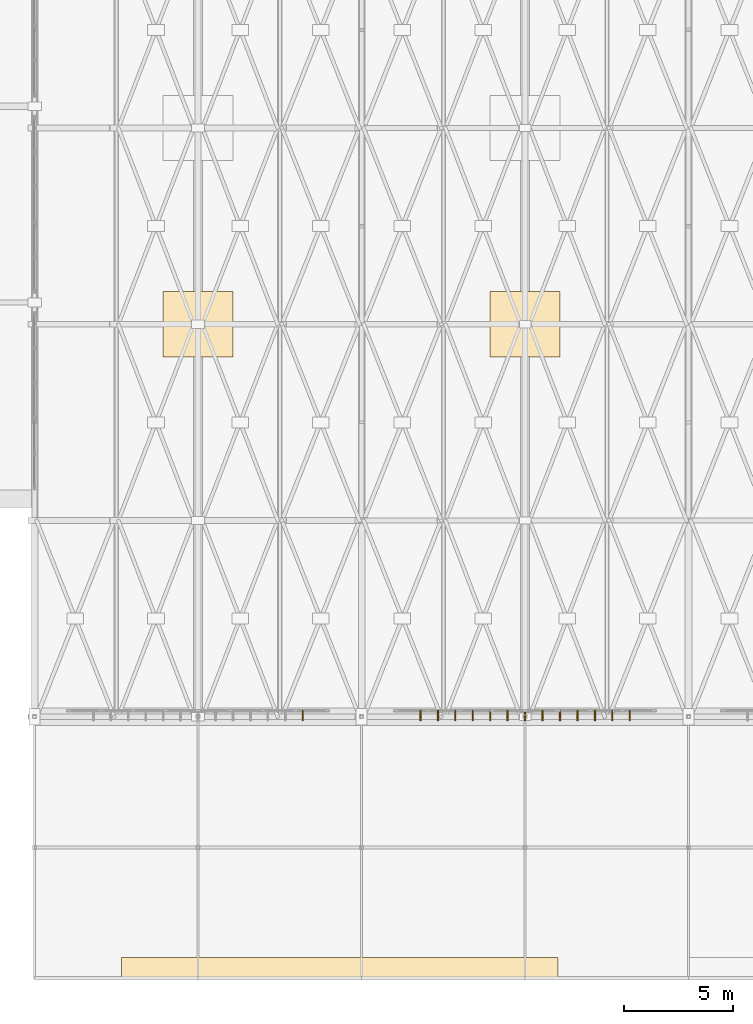
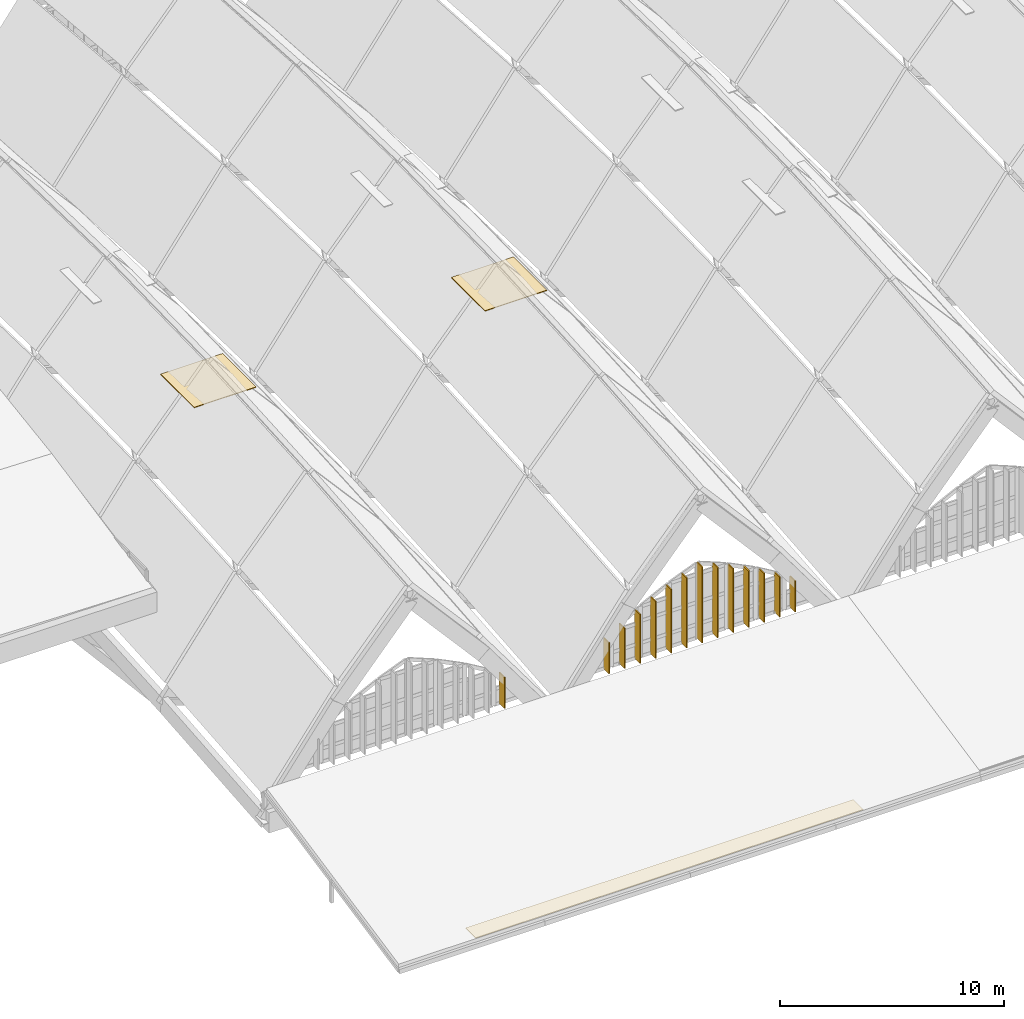
# One storey, part 84 of 93: 14 shading devices, 3 coverings.
"""IFC4 building model written with IfcOpenShell, lengths in metres."""

from ifc_helpers import new_model, si_unit, direction, frame, origin, origin_2d, place, context, subcontext, project, spatial, polyline, rectangle, outline, extrude, material, layer, layer_set, material_profile, profile_set, type_object, element, save


model = new_model("IFC4")

# Units and contexts
model_context = context("Model", 3, precision=1e-05, world=origin(), true_north=direction((0.0, 1.0)))
body_context = subcontext(model_context, "Body", "Model", "MODEL_VIEW")
ifc_project = project(units=[si_unit("LENGTHUNIT", "METRE"), si_unit("AREAUNIT", "SQUARE_METRE"), si_unit("VOLUMEUNIT", "CUBIC_METRE"), si_unit("PLANEANGLEUNIT", "RADIAN"), si_unit("MASSUNIT", "GRAM", prefix="KILO")], contexts=[model_context])

# Site, building, storey
site_placement = place(None, origin())
site = spatial("IfcSite", under=ifc_project, at=site_placement, CompositionType="ELEMENT")
building_placement = place(site_placement, origin())
building = spatial("IfcBuilding", under=site, at=building_placement, Name="Vourika Railside Aquatics Centre", CompositionType="ELEMENT")
storey_placement = place(building_placement, frame((0.0, 0.0, 21.89990234375)))
storey = spatial("IfcBuildingStorey", under=building, at=storey_placement, Name="Roof", CompositionType="ELEMENT", Elevation=21.89990234375)

# Coverings
ifc_material_1 = material(Name="Anodized aluminium", Category="aluminium")
ifc_layer_1 = layer(ifc_material_1, 0.02490234375, Name="COV-ROOF-SEAM25")
ifc_layer_set_1 = layer_set([ifc_layer_1], Name="Anodized aluminium")
covering_type_1 = type_object("IfcCoveringType", Name="COV-ROOF-SEAM25", PredefinedType="ROOFING", material=ifc_layer_set_1)
covering_1_placement = place(storey_placement, frame((0.0, 0.0, -12.369873046875)))
element("IfcCovering", 1, at=covering_1_placement, inside=storey, type_object=covering_type_1, Name="Monsoon Eave Gutter Flashing 1", PredefinedType="ROOFING", context=body_context, shape_type="SweptSolid", body=[
    extrude(outline(polyline([(40.0, 0.050048828125), (60.0, 0.050048828125), (60.0, 0.949951171875), (40.0, 0.949951171875), (40.0, 0.050048828125)])), origin(), (0.0, 0.0, 1.0), 0.02490234375),
])
ifc_material_2 = material(Name="Glulam GL28h", Category="wood")
ifc_layer_2 = layer(ifc_material_2, 0.034912109375, Name="COV-SOFFIT-TIM35")
ifc_layer_set_2 = layer_set([ifc_layer_2], Name="Glulam GL28h")
covering_type_2 = type_object("IfcCoveringType", Name="COV-SOFFIT-TIM35", PredefinedType="CEILING", material=ifc_layer_set_2)
covering_2_placement = place(storey_placement, frame((0.0, 0.0, -1.369384765625)))
element("IfcCovering", 2, at=covering_2_placement, inside=storey, type_object=covering_type_2, Name="Perforated Acoustic Timber Soffit Liner Bay 1-1", PredefinedType="CEILING", context=body_context, shape_type="SweptSolid", body=[
    extrude(outline(polyline([(41.89990234375, 28.5), (45.10009765625, 28.5), (45.10009765625, 31.5), (41.89990234375, 31.5), (41.89990234375, 28.5)])), origin(), (0.0, 0.0, 1.0), 0.037109375),
])
covering_3_placement = place(storey_placement, frame((0.0, 0.0, -1.349365234375)))
element("IfcCovering", 3, at=covering_3_placement, inside=storey, type_object=covering_type_2, Name="Perforated Acoustic Timber Soffit Liner Bay 2-1", PredefinedType="CEILING", context=body_context, shape_type="SweptSolid", body=[
    extrude(outline(polyline([(56.89990234375, 28.5), (60.10009765625, 28.5), (60.10009765625, 31.5), (56.89990234375, 31.5), (56.89990234375, 28.5)])), origin(), (0.0, 0.0, 1.0), 0.037109375),
])

# Shading devices
ifc_material_3 = material(Name="Bronze-anodized extruded aluminium", Category="aluminium")
ifc_material_profile_1 = material_profile(ifc_material_3, rectangle(XDim=0.06005859375, YDim=0.47998046875, at=origin_2d()), Name="ALU-FIN 60x480")
ifc_profile_set_1 = profile_set([ifc_material_profile_1], Name="Bronze-anodized extruded aluminium")
shading_device_type_1 = type_object("IfcShadingDeviceType", Name="SHD-FIN-F48A", PredefinedType="USERDEFINED", material=ifc_profile_set_1)
for number, where, z_axis, x_axis, name in (
    (4, (48.300048828125, 12.06494140625, -9.8798828125), (0.0, 0.0, 1.0), (-1.0, 0.0, 0.0), "Vertical Solar Fin VSF-0026"),
    (5, (53.699951171875, 12.06494140625, -9.8798828125), (0.0, 0.0, 1.0), (-1.0, 0.0, 0.0), "Vertical Solar Fin VSF-0040"),
):
    element("IfcShadingDevice", number, at=place(storey_placement, frame(where, z_axis=z_axis, x_axis=x_axis)), inside=storey, type_object=shading_device_type_1, Name=name, ObjectType="FIN", PredefinedType="USERDEFINED", context=body_context, shape_type="SweptSolid", body=[
        extrude(rectangle(XDim=0.06005859375, YDim=0.47998046875, at=origin_2d()), origin(), (0.0, 0.0, 1.0), 1.68603515625),
    ])
shading_device_1_placement = place(storey_placement, frame((54.5, 12.06494140625, -9.8798828125), z_axis=(0.0, 0.0, 1.0), x_axis=(-1.0, 0.0, 0.0)))
element("IfcShadingDevice", 6, at=shading_device_1_placement, inside=storey, type_object=shading_device_type_1, Name="Vertical Solar Fin VSF-0041", ObjectType="FIN", PredefinedType="USERDEFINED", context=body_context, shape_type="SweptSolid", body=[
    extrude(rectangle(XDim=0.06005859375, YDim=0.47998046875, at=origin_2d()), origin(), (0.0, 0.0, 1.0), 2.196044921875),
])
shading_device_2_placement = place(storey_placement, frame((55.300048828125, 12.06494140625, -9.8798828125), z_axis=(0.0, 0.0, 1.0), x_axis=(-1.0, 0.0, 0.0)))
element("IfcShadingDevice", 7, at=shading_device_2_placement, inside=storey, type_object=shading_device_type_1, Name="Vertical Solar Fin VSF-0042", ObjectType="FIN", PredefinedType="USERDEFINED", context=body_context, shape_type="SweptSolid", body=[
    extrude(rectangle(XDim=0.06005859375, YDim=0.47998046875, at=origin_2d()), origin(), (0.0, 0.0, 1.0), 2.6650390625),
])
shading_device_3_placement = place(storey_placement, frame((56.10009765625, 12.06494140625, -9.8798828125), z_axis=(0.0, 0.0, 1.0), x_axis=(-1.0, 0.0, 0.0)))
element("IfcShadingDevice", 8, at=shading_device_3_placement, inside=storey, type_object=shading_device_type_1, Name="Vertical Solar Fin VSF-0043", ObjectType="FIN", PredefinedType="USERDEFINED", context=body_context, shape_type="SweptSolid", body=[
    extrude(rectangle(XDim=0.06005859375, YDim=0.47998046875, at=origin_2d()), origin(), (0.0, 0.0, 1.0), 3.093017578125),
])
shading_device_4_placement = place(storey_placement, frame((56.89990234375, 12.06494140625, -9.8798828125), z_axis=(0.0, 0.0, 1.0), x_axis=(-1.0, 0.0, 0.0)))
element("IfcShadingDevice", 9, at=shading_device_4_placement, inside=storey, type_object=shading_device_type_1, Name="Vertical Solar Fin VSF-0044", ObjectType="FIN", PredefinedType="USERDEFINED", context=body_context, shape_type="SweptSolid", body=[
    extrude(rectangle(XDim=0.06005859375, YDim=0.47998046875, at=origin_2d()), origin(), (0.0, 0.0, 1.0), 3.47998046875),
])
for number, where, z_axis, x_axis, name in (
    (10, (57.699951171875, 12.06494140625, -9.8798828125), (0.0, 0.0, 1.0), (-1.0, 0.0, 0.0), "Vertical Solar Fin VSF-0045"),
    (11, (59.300048828125, 12.06494140625, -9.8798828125), (0.0, 0.0, 1.0), (-1.0, 0.0, 0.0), "Vertical Solar Fin VSF-0047"),
):
    element("IfcShadingDevice", number, at=place(storey_placement, frame(where, z_axis=z_axis, x_axis=x_axis)), inside=storey, type_object=shading_device_type_1, Name=name, ObjectType="FIN", PredefinedType="USERDEFINED", context=body_context, shape_type="SweptSolid", body=[
        extrude(rectangle(XDim=0.06005859375, YDim=0.47998046875, at=origin_2d()), origin(), (0.0, 0.0, 1.0), 3.824951171875),
    ])
shading_device_5_placement = place(storey_placement, frame((60.10009765625, 12.06494140625, -9.8798828125), z_axis=(0.0, 0.0, 1.0), x_axis=(-1.0, 0.0, 0.0)))
element("IfcShadingDevice", 12, at=shading_device_5_placement, inside=storey, type_object=shading_device_type_1, Name="Vertical Solar Fin VSF-0048", ObjectType="FIN", PredefinedType="USERDEFINED", context=body_context, shape_type="SweptSolid", body=[
    extrude(rectangle(XDim=0.06005859375, YDim=0.47998046875, at=origin_2d()), origin(), (0.0, 0.0, 1.0), 3.47998046875),
])
shading_device_6_placement = place(storey_placement, frame((60.89990234375, 12.06494140625, -9.8798828125), z_axis=(0.0, 0.0, 1.0), x_axis=(-1.0, 0.0, 0.0)))
element("IfcShadingDevice", 13, at=shading_device_6_placement, inside=storey, type_object=shading_device_type_1, Name="Vertical Solar Fin VSF-0049", ObjectType="FIN", PredefinedType="USERDEFINED", context=body_context, shape_type="SweptSolid", body=[
    extrude(rectangle(XDim=0.06005859375, YDim=0.47998046875, at=origin_2d()), origin(), (0.0, 0.0, 1.0), 3.093017578125),
])
shading_device_7_placement = place(storey_placement, frame((61.699951171875, 12.06494140625, -9.8798828125), z_axis=(0.0, 0.0, 1.0), x_axis=(-1.0, 0.0, 0.0)))
element("IfcShadingDevice", 14, at=shading_device_7_placement, inside=storey, type_object=shading_device_type_1, Name="Vertical Solar Fin VSF-0050", ObjectType="FIN", PredefinedType="USERDEFINED", context=body_context, shape_type="SweptSolid", body=[
    extrude(rectangle(XDim=0.06005859375, YDim=0.47998046875, at=origin_2d()), origin(), (0.0, 0.0, 1.0), 2.6650390625),
])
shading_device_8_placement = place(storey_placement, frame((62.5, 12.06494140625, -9.8798828125), z_axis=(0.0, 0.0, 1.0), x_axis=(-1.0, 0.0, 0.0)))
element("IfcShadingDevice", 15, at=shading_device_8_placement, inside=storey, type_object=shading_device_type_1, Name="Vertical Solar Fin VSF-0051", ObjectType="FIN", PredefinedType="USERDEFINED", context=body_context, shape_type="SweptSolid", body=[
    extrude(rectangle(XDim=0.06005859375, YDim=0.47998046875, at=origin_2d()), origin(), (0.0, 0.0, 1.0), 2.196044921875),
])
shading_device_9_placement = place(storey_placement, frame((63.300048828125, 12.06494140625, -9.8798828125), z_axis=(0.0, 0.0, 1.0), x_axis=(-1.0, 0.0, 0.0)))
element("IfcShadingDevice", 16, at=shading_device_9_placement, inside=storey, type_object=shading_device_type_1, Name="Vertical Solar Fin VSF-0052", ObjectType="FIN", PredefinedType="USERDEFINED", context=body_context, shape_type="SweptSolid", body=[
    extrude(rectangle(XDim=0.06005859375, YDim=0.47998046875, at=origin_2d()), origin(), (0.0, 0.0, 1.0), 1.68603515625),
])
ifc_material_profile_2 = material_profile(ifc_material_3, rectangle(XDim=0.06005859375, YDim=0.47998046875, at=origin_2d()), Name="ALU-FIN 60x480")
ifc_profile_set_2 = profile_set([ifc_material_profile_2], Name="Bronze-anodized extruded aluminium")
shading_device_type_2 = type_object("IfcShadingDeviceType", Name="SHD-FIN-F48B", PredefinedType="USERDEFINED", material=ifc_profile_set_2)
shading_device_10_placement = place(storey_placement, frame((58.5, 12.06494140625, -9.8798828125), z_axis=(0.0, 0.0, 1.0), x_axis=(-1.0, 0.0, 0.0)))
element("IfcShadingDevice", 17, at=shading_device_10_placement, inside=storey, type_object=shading_device_type_2, Name="Vertical Solar Fin VSF-0046", ObjectType="FIN", PredefinedType="USERDEFINED", context=body_context, shape_type="SweptSolid", body=[
    extrude(rectangle(XDim=0.06005859375, YDim=0.47998046875, at=origin_2d()), origin(), (0.0, 0.0, 1.0), 4.1298828125),
])

save(model, "model.ifc")
